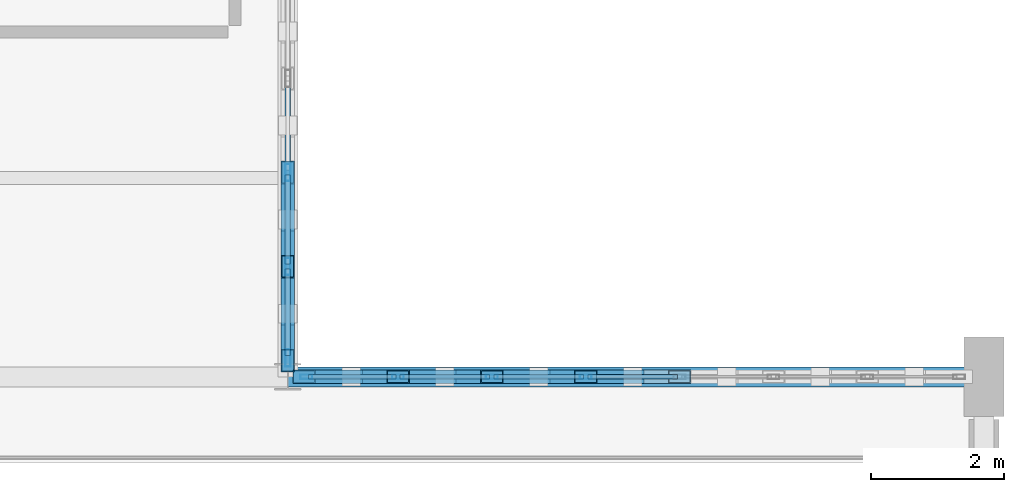
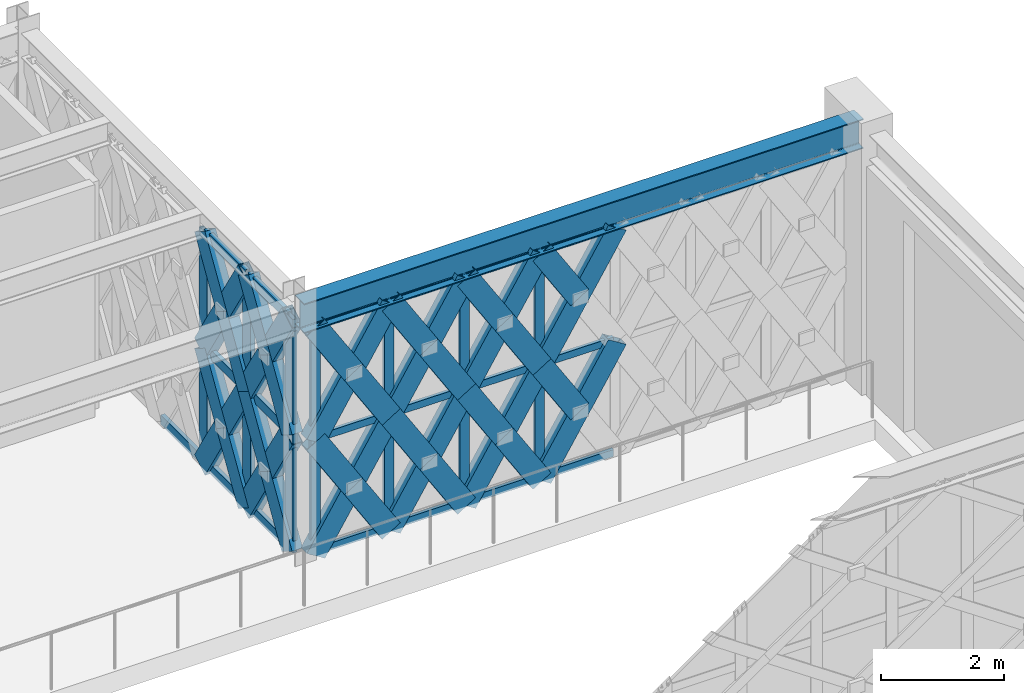
# One storey, part 93 of 140: 60 members, 1 beam, 2 elements without a shape of their own.
"""IFC4 building model written with IfcOpenShell, lengths in metres."""

from ifc_helpers import new_model, si_unit, direction, frame, origin, origin_2d, place, context, subcontext, project, spatial, hollow_rectangle, i_section, extrude, material, material_profile, profile_set, type_object, element, aggregate, save


model = new_model("IFC4")

# Units and contexts
model_context = context("Model", 3, precision=1e-05, world=origin(), true_north=direction((0.0, 1.0)))
body_context = subcontext(model_context, "Body", "Model", "MODEL_VIEW")
ifc_project = project(units=[si_unit("LENGTHUNIT", "METRE"), si_unit("AREAUNIT", "SQUARE_METRE"), si_unit("VOLUMEUNIT", "CUBIC_METRE"), si_unit("PLANEANGLEUNIT", "RADIAN"), si_unit("MASSUNIT", "GRAM", prefix="KILO")], contexts=[model_context])

# Site, building, storey
site_placement = place(None, origin())
site = spatial("IfcSite", under=ifc_project, at=site_placement, CompositionType="ELEMENT")
building_placement = place(site_placement, origin())
building = spatial("IfcBuilding", under=site, at=building_placement, Name="Haizhuo Lancet Aquarium", CompositionType="ELEMENT")
storey_placement = place(building_placement, origin())
storey = spatial("IfcBuildingStorey", under=building, at=storey_placement, Name="L00", CompositionType="ELEMENT", Elevation=0.0)

# Beam
ifc_material_1 = material(Name="Steel S355", Category="steel")
ifc_material_profile_1 = material_profile(ifc_material_1, i_section(OverallWidth=0.300048828125, OverallDepth=0.587890625, WebThickness=0.011962890625, FlangeThickness=0.02001953125, FilletRadius=0.02587890625, at=origin_2d()), Name="HM 588x300x12x20")
ifc_profile_set_1 = profile_set([ifc_material_profile_1], Name="Steel S355")
beam_type = type_object("IfcBeamType", Name="BM-ST-HM588", PredefinedType="BEAM", material=ifc_profile_set_1)
beam_placement = place(storey_placement, frame((72.0, 18.0, 4.825927734375), z_axis=(1.0, 0.0, 0.0), x_axis=(0.0, 1.0, 0.0)))
element("IfcBeam", 1, at=beam_placement, inside=storey, type_object=beam_type, Name="L00 V7 primary girder BM-L00-V7-027", PredefinedType="BEAM", context=body_context, shape_type="SweptSolid", body=[
    extrude(i_section(OverallWidth=0.300048828125, OverallDepth=0.587890625, WebThickness=0.011962890625, FlangeThickness=0.02001953125, FilletRadius=0.02587890625, at=origin_2d()), origin(), (0.0, 0.0, 1.0), 10.5),
])

# Curtain wall, members
ifc_material_2 = material(Name="Aluminium 6063-T6", Category="aluminium")
curtain_wall_type_1 = type_object("IfcCurtainWallType", Name="CWD-9910x4530", PredefinedType="NOTDEFINED", material=ifc_material_2)
curtain_wall_1_placement = place(storey_placement, origin())
curtain_wall_1 = element("IfcCurtainWall", 2, at=curtain_wall_1_placement, inside=storey, type_object=curtain_wall_type_1, Name="L00 curtain wall CW-V7-L00-277", PredefinedType="NOTDEFINED")
ifc_material_profile_2 = material_profile(ifc_material_2, hollow_rectangle(XDim=0.06494140625, YDim=0.179931640625, WallThickness=0.00390625, at=origin_2d()), Name="ALU-M 65x180x4")
ifc_profile_set_2 = profile_set([ifc_material_profile_2], Name="Aluminium 6063-T6")
member_type_1 = type_object("IfcMemberType", Name="CW-MUL-1", PredefinedType="MULLION", material=ifc_profile_set_2)
member_1_placement = place(storey_placement, frame((72.278076171875, 18.0, 0.0), z_axis=(0.0, 0.0, 1.0), x_axis=(0.0, 1.0, 0.0)))
member_1 = element("IfcMember", 3, at=member_1_placement, type_object=member_type_1, Name="CWD-99x45 mullion 1", PredefinedType="MULLION", context=body_context, shape_type="SweptSolid", body=[
    extrude(hollow_rectangle(XDim=0.06494140625, YDim=0.179931640625, WallThickness=0.00390625, at=origin_2d()), origin(), (0.0, 0.0, 1.0), 4.531982421875),
])
member_2_placement = place(storey_placement, frame((73.660888671875, 18.0, 0.0), z_axis=(0.0, 0.0, 1.0), x_axis=(0.0, 1.0, 0.0)))
member_2 = element("IfcMember", 4, at=member_2_placement, type_object=member_type_1, Name="CWD-99x45 mullion 2", PredefinedType="MULLION", context=body_context, shape_type="SweptSolid", body=[
    extrude(hollow_rectangle(XDim=0.06494140625, YDim=0.179931640625, WallThickness=0.00390625, at=origin_2d()), origin(), (0.0, 0.0, 1.0), 4.531982421875),
])
member_3_placement = place(storey_placement, frame((75.075927734375, 18.0, 0.0), z_axis=(0.0, 0.0, 1.0), x_axis=(0.0, 1.0, 0.0)))
member_3 = element("IfcMember", 5, at=member_3_placement, type_object=member_type_1, Name="CWD-99x45 mullion 3", PredefinedType="MULLION", context=body_context, shape_type="SweptSolid", body=[
    extrude(hollow_rectangle(XDim=0.06494140625, YDim=0.179931640625, WallThickness=0.00390625, at=origin_2d()), origin(), (0.0, 0.0, 1.0), 4.531982421875),
])
member_4_placement = place(storey_placement, frame((76.491943359375, 18.0, 0.0), z_axis=(0.0, 0.0, 1.0), x_axis=(0.0, 1.0, 0.0)))
member_4 = element("IfcMember", 6, at=member_4_placement, type_object=member_type_1, Name="CWD-99x45 mullion 4", PredefinedType="MULLION", context=body_context, shape_type="SweptSolid", body=[
    extrude(hollow_rectangle(XDim=0.06494140625, YDim=0.179931640625, WallThickness=0.00390625, at=origin_2d()), origin(), (0.0, 0.0, 1.0), 4.531982421875),
])

curtain_wall_type_2 = type_object("IfcCurtainWallType", Name="CWD-8510x4630", PredefinedType="NOTDEFINED", material=ifc_material_2)
curtain_wall_2_placement = place(storey_placement, origin())
curtain_wall_2 = element("IfcCurtainWall", 7, at=curtain_wall_2_placement, inside=storey, type_object=curtain_wall_type_2, Name="L00 curtain wall CW-V7-L00-276", PredefinedType="NOTDEFINED")
ifc_material_profile_3 = material_profile(ifc_material_2, hollow_rectangle(XDim=0.080078125, YDim=0.260009765625, WallThickness=0.0048828125, at=origin_2d()), Name="ALU-M 80x260x5")
ifc_profile_set_3 = profile_set([ifc_material_profile_3], Name="Aluminium 6063-T6")
member_type_2 = type_object("IfcMemberType", Name="CW-MUL-3", PredefinedType="MULLION", material=ifc_profile_set_3)
member_5_placement = place(storey_placement, frame((72.0, 21.08203125, 0.0), z_axis=(0.0, 0.0, 1.0), x_axis=(1.0, 0.0, 0.0)))
member_5 = element("IfcMember", 8, at=member_5_placement, type_object=member_type_2, Name="CWD-85x46 mullion 5", PredefinedType="MULLION", context=body_context, shape_type="SweptSolid", body=[
    extrude(hollow_rectangle(XDim=0.080078125, YDim=0.260009765625, WallThickness=0.0048828125, at=origin_2d()), origin(), (0.0, 0.0, 1.0), 4.632080078125),
])
member_6_placement = place(storey_placement, frame((72.0, 19.6630859375, 0.0), z_axis=(0.0, 0.0, 1.0), x_axis=(1.0, 0.0, 0.0)))
member_6 = element("IfcMember", 9, at=member_6_placement, type_object=member_type_2, Name="CWD-85x46 mullion 6", PredefinedType="MULLION", context=body_context, shape_type="SweptSolid", body=[
    extrude(hollow_rectangle(XDim=0.080078125, YDim=0.260009765625, WallThickness=0.0048828125, at=origin_2d()), origin(), (0.0, 0.0, 1.0), 4.632080078125),
])
member_7_placement = place(storey_placement, frame((72.0, 18.284912109375, 0.0), z_axis=(0.0, 0.0, 1.0), x_axis=(1.0, 0.0, 0.0)))
member_7 = element("IfcMember", 10, at=member_7_placement, type_object=member_type_2, Name="CWD-85x46 mullion 7", PredefinedType="MULLION", context=body_context, shape_type="SweptSolid", body=[
    extrude(hollow_rectangle(XDim=0.080078125, YDim=0.260009765625, WallThickness=0.0048828125, at=origin_2d()), origin(), (0.0, 0.0, 1.0), 4.632080078125),
])

# Member
ifc_material_profile_4 = material_profile(ifc_material_2, hollow_rectangle(XDim=0.06494140625, YDim=0.139892578125, WallThickness=0.00390625, at=origin_2d()), Name="ALU-T 65x140x4")
ifc_profile_set_4 = profile_set([ifc_material_profile_4], Name="Aluminium 6063-T6")
member_type_3 = type_object("IfcMemberType", Name="CW-TRN-1", PredefinedType="NOTDEFINED", material=ifc_profile_set_4)
member_8_placement = place(storey_placement, frame((72.31005859375, 18.0, 0.032958984375), z_axis=(1.0, 0.0, 0.0), x_axis=(0.0, 1.0, 0.0)))
member_8 = element("IfcMember", 11, at=member_8_placement, type_object=member_type_3, Name="CWD-99x45 transom 1.1", ObjectType="TRANSOM", PredefinedType="USERDEFINED", context=body_context, shape_type="SweptSolid", body=[
    extrude(hollow_rectangle(XDim=0.06494140625, YDim=0.139892578125, WallThickness=0.00390625, at=origin_2d()), origin(), (0.0, 0.0, 1.0), 1.31787109375),
])

member_9_placement = place(storey_placement, frame((72.31005859375, 18.0, 2.26611328125), z_axis=(1.0, 0.0, 0.0), x_axis=(0.0, 1.0, 0.0)))
member_9 = element("IfcMember", 12, at=member_9_placement, type_object=member_type_3, Name="CWD-99x45 transom 1.2", ObjectType="TRANSOM", PredefinedType="USERDEFINED", context=body_context, shape_type="SweptSolid", body=[
    extrude(hollow_rectangle(XDim=0.06494140625, YDim=0.139892578125, WallThickness=0.00390625, at=origin_2d()), origin(), (0.0, 0.0, 1.0), 1.31787109375),
])

member_10_placement = place(storey_placement, frame((72.31005859375, 18.0, 4.5), z_axis=(1.0, 0.0, 0.0), x_axis=(0.0, 1.0, 0.0)))
member_10 = element("IfcMember", 13, at=member_10_placement, type_object=member_type_3, Name="CWD-99x45 transom 1.3", ObjectType="TRANSOM", PredefinedType="USERDEFINED", context=body_context, shape_type="SweptSolid", body=[
    extrude(hollow_rectangle(XDim=0.06494140625, YDim=0.139892578125, WallThickness=0.00390625, at=origin_2d()), origin(), (0.0, 0.0, 1.0), 1.31787109375),
])

member_11_placement = place(storey_placement, frame((73.693115234375, 18.0, 0.032958984375), z_axis=(1.0, 0.0, 0.0), x_axis=(0.0, 1.0, 0.0)))
member_11 = element("IfcMember", 14, at=member_11_placement, type_object=member_type_3, Name="CWD-99x45 transom 2.1", ObjectType="TRANSOM", PredefinedType="USERDEFINED", context=body_context, shape_type="SweptSolid", body=[
    extrude(hollow_rectangle(XDim=0.06494140625, YDim=0.139892578125, WallThickness=0.00390625, at=origin_2d()), origin(), (0.0, 0.0, 1.0), 1.350830078125),
])

member_12_placement = place(storey_placement, frame((73.693115234375, 18.0, 2.26611328125), z_axis=(1.0, 0.0, 0.0), x_axis=(0.0, 1.0, 0.0)))
member_12 = element("IfcMember", 15, at=member_12_placement, type_object=member_type_3, Name="CWD-99x45 transom 2.2", ObjectType="TRANSOM", PredefinedType="USERDEFINED", context=body_context, shape_type="SweptSolid", body=[
    extrude(hollow_rectangle(XDim=0.06494140625, YDim=0.139892578125, WallThickness=0.00390625, at=origin_2d()), origin(), (0.0, 0.0, 1.0), 1.350830078125),
])

member_13_placement = place(storey_placement, frame((73.693115234375, 18.0, 4.5), z_axis=(1.0, 0.0, 0.0), x_axis=(0.0, 1.0, 0.0)))
member_13 = element("IfcMember", 16, at=member_13_placement, type_object=member_type_3, Name="CWD-99x45 transom 2.3", ObjectType="TRANSOM", PredefinedType="USERDEFINED", context=body_context, shape_type="SweptSolid", body=[
    extrude(hollow_rectangle(XDim=0.06494140625, YDim=0.139892578125, WallThickness=0.00390625, at=origin_2d()), origin(), (0.0, 0.0, 1.0), 1.350830078125),
])

member_14_placement = place(storey_placement, frame((75.10888671875, 18.0, 0.032958984375), z_axis=(1.0, 0.0, 0.0), x_axis=(0.0, 1.0, 0.0)))
member_14 = element("IfcMember", 17, at=member_14_placement, type_object=member_type_3, Name="CWD-99x45 transom 3.1", ObjectType="TRANSOM", PredefinedType="USERDEFINED", context=body_context, shape_type="SweptSolid", body=[
    extrude(hollow_rectangle(XDim=0.06494140625, YDim=0.139892578125, WallThickness=0.00390625, at=origin_2d()), origin(), (0.0, 0.0, 1.0), 1.35107421875),
])

member_15_placement = place(storey_placement, frame((75.10888671875, 18.0, 2.26611328125), z_axis=(1.0, 0.0, 0.0), x_axis=(0.0, 1.0, 0.0)))
member_15 = element("IfcMember", 18, at=member_15_placement, type_object=member_type_3, Name="CWD-99x45 transom 3.2", ObjectType="TRANSOM", PredefinedType="USERDEFINED", context=body_context, shape_type="SweptSolid", body=[
    extrude(hollow_rectangle(XDim=0.06494140625, YDim=0.139892578125, WallThickness=0.00390625, at=origin_2d()), origin(), (0.0, 0.0, 1.0), 1.35107421875),
])

member_16_placement = place(storey_placement, frame((75.10888671875, 18.0, 4.5), z_axis=(1.0, 0.0, 0.0), x_axis=(0.0, 1.0, 0.0)))
member_16 = element("IfcMember", 19, at=member_16_placement, type_object=member_type_3, Name="CWD-99x45 transom 3.3", ObjectType="TRANSOM", PredefinedType="USERDEFINED", context=body_context, shape_type="SweptSolid", body=[
    extrude(hollow_rectangle(XDim=0.06494140625, YDim=0.139892578125, WallThickness=0.00390625, at=origin_2d()), origin(), (0.0, 0.0, 1.0), 1.35107421875),
])

member_17_placement = place(storey_placement, frame((76.52490234375, 18.0, 0.032958984375), z_axis=(1.0, 0.0, 0.0), x_axis=(0.0, 1.0, 0.0)))
member_17 = element("IfcMember", 20, at=member_17_placement, type_object=member_type_3, Name="CWD-99x45 transom 4.1", ObjectType="TRANSOM", PredefinedType="USERDEFINED", context=body_context, shape_type="SweptSolid", body=[
    extrude(hollow_rectangle(XDim=0.06494140625, YDim=0.139892578125, WallThickness=0.00390625, at=origin_2d()), origin(), (0.0, 0.0, 1.0), 1.35009765625),
])

member_18_placement = place(storey_placement, frame((76.52490234375, 18.0, 2.26611328125), z_axis=(1.0, 0.0, 0.0), x_axis=(0.0, 1.0, 0.0)))
member_18 = element("IfcMember", 21, at=member_18_placement, type_object=member_type_3, Name="CWD-99x45 transom 4.2", ObjectType="TRANSOM", PredefinedType="USERDEFINED", context=body_context, shape_type="SweptSolid", body=[
    extrude(hollow_rectangle(XDim=0.06494140625, YDim=0.139892578125, WallThickness=0.00390625, at=origin_2d()), origin(), (0.0, 0.0, 1.0), 1.35009765625),
])

member_19_placement = place(storey_placement, frame((76.52490234375, 18.0, 4.5), z_axis=(1.0, 0.0, 0.0), x_axis=(0.0, 1.0, 0.0)))
member_19 = element("IfcMember", 22, at=member_19_placement, type_object=member_type_3, Name="CWD-99x45 transom 4.3", ObjectType="TRANSOM", PredefinedType="USERDEFINED", context=body_context, shape_type="SweptSolid", body=[
    extrude(hollow_rectangle(XDim=0.06494140625, YDim=0.139892578125, WallThickness=0.00390625, at=origin_2d()), origin(), (0.0, 0.0, 1.0), 1.35009765625),
])

aggregate(curtain_wall_1, [member_1, member_2, member_3, member_4, member_8, member_9, member_10, member_11, member_12, member_13, member_14, member_15, member_16, member_17, member_18, member_19])

ifc_material_profile_5 = material_profile(ifc_material_2, hollow_rectangle(XDim=0.080078125, YDim=0.18994140625, WallThickness=0.0048828125, at=origin_2d()), Name="ALU-T 80x190x5")
ifc_profile_set_5 = profile_set([ifc_material_profile_5], Name="Aluminium 6063-T6")
member_type_4 = type_object("IfcMemberType", Name="CW-TRN-3", PredefinedType="NOTDEFINED", material=ifc_profile_set_5)
member_20_placement = place(storey_placement, frame((72.0, 22.4599609375, 0.0400390625), z_axis=(0.0, -1.0, 0.0), x_axis=(1.0, 0.0, 0.0)))
member_20 = element("IfcMember", 23, at=member_20_placement, type_object=member_type_4, Name="CWD-85x46 transom 4.1", ObjectType="TRANSOM", PredefinedType="USERDEFINED", context=body_context, shape_type="SweptSolid", body=[
    extrude(hollow_rectangle(XDim=0.080078125, YDim=0.18994140625, WallThickness=0.0048828125, at=origin_2d()), origin(), (0.0, 0.0, 1.0), 1.337890625),
])

member_21_placement = place(storey_placement, frame((72.0, 21.0419921875, 0.0400390625), z_axis=(0.0, -1.0, 0.0), x_axis=(1.0, 0.0, 0.0)))
member_21 = element("IfcMember", 24, at=member_21_placement, type_object=member_type_4, Name="CWD-85x46 transom 5.1", ObjectType="TRANSOM", PredefinedType="USERDEFINED", context=body_context, shape_type="SweptSolid", body=[
    extrude(hollow_rectangle(XDim=0.080078125, YDim=0.18994140625, WallThickness=0.0048828125, at=origin_2d()), origin(), (0.0, 0.0, 1.0), 1.339111328125),
])

member_22_placement = place(storey_placement, frame((72.0, 21.0419921875, 2.31591796875), z_axis=(0.0, -1.0, 0.0), x_axis=(1.0, 0.0, 0.0)))
member_22 = element("IfcMember", 25, at=member_22_placement, type_object=member_type_4, Name="CWD-85x46 transom 5.2", ObjectType="TRANSOM", PredefinedType="USERDEFINED", context=body_context, shape_type="SweptSolid", body=[
    extrude(hollow_rectangle(XDim=0.080078125, YDim=0.18994140625, WallThickness=0.0048828125, at=origin_2d()), origin(), (0.0, 0.0, 1.0), 1.339111328125),
])

member_23_placement = place(storey_placement, frame((72.0, 21.0419921875, 4.592041015625), z_axis=(0.0, -1.0, 0.0), x_axis=(1.0, 0.0, 0.0)))
member_23 = element("IfcMember", 26, at=member_23_placement, type_object=member_type_4, Name="CWD-85x46 transom 5.3", ObjectType="TRANSOM", PredefinedType="USERDEFINED", context=body_context, shape_type="SweptSolid", body=[
    extrude(hollow_rectangle(XDim=0.080078125, YDim=0.18994140625, WallThickness=0.0048828125, at=origin_2d()), origin(), (0.0, 0.0, 1.0), 1.339111328125),
])

member_24_placement = place(storey_placement, frame((72.0, 19.623046875, 0.0400390625), z_axis=(0.0, -1.0, 0.0), x_axis=(1.0, 0.0, 0.0)))
member_24 = element("IfcMember", 27, at=member_24_placement, type_object=member_type_4, Name="CWD-85x46 transom 6.1", ObjectType="TRANSOM", PredefinedType="USERDEFINED", context=body_context, shape_type="SweptSolid", body=[
    extrude(hollow_rectangle(XDim=0.080078125, YDim=0.18994140625, WallThickness=0.0048828125, at=origin_2d()), origin(), (0.0, 0.0, 1.0), 1.298095703125),
])

member_25_placement = place(storey_placement, frame((72.0, 19.623046875, 2.31591796875), z_axis=(0.0, -1.0, 0.0), x_axis=(1.0, 0.0, 0.0)))
member_25 = element("IfcMember", 28, at=member_25_placement, type_object=member_type_4, Name="CWD-85x46 transom 6.2", ObjectType="TRANSOM", PredefinedType="USERDEFINED", context=body_context, shape_type="SweptSolid", body=[
    extrude(hollow_rectangle(XDim=0.080078125, YDim=0.18994140625, WallThickness=0.0048828125, at=origin_2d()), origin(), (0.0, 0.0, 1.0), 1.298095703125),
])

member_26_placement = place(storey_placement, frame((72.0, 19.623046875, 4.592041015625), z_axis=(0.0, -1.0, 0.0), x_axis=(1.0, 0.0, 0.0)))
member_26 = element("IfcMember", 29, at=member_26_placement, type_object=member_type_4, Name="CWD-85x46 transom 6.3", ObjectType="TRANSOM", PredefinedType="USERDEFINED", context=body_context, shape_type="SweptSolid", body=[
    extrude(hollow_rectangle(XDim=0.080078125, YDim=0.18994140625, WallThickness=0.0048828125, at=origin_2d()), origin(), (0.0, 0.0, 1.0), 1.298095703125),
])

aggregate(curtain_wall_2, [member_5, member_6, member_7, member_20, member_21, member_22, member_23, member_24, member_25, member_26])

# Members
ifc_material_profile_6 = material_profile(ifc_material_1, hollow_rectangle(XDim=0.199951171875, YDim=0.39990234375, WallThickness=0.011962890625, at=origin_2d()), Name="RHS 200x400x12")
ifc_profile_set_6 = profile_set([ifc_material_profile_6], Name="Steel S355")
member_type_5 = type_object("IfcMemberType", Name="MEM-LB-RHS200x400", PredefinedType="BRACE", material=ifc_profile_set_6)
member_27_placement = place(storey_placement, frame((72.0, 21.08203125, 0.0), z_axis=(0.0, -0.522431366844, 0.852681339621), x_axis=(1.0, 0.0, 0.0)))
element("IfcMember", 30, at=member_27_placement, inside=storey, type_object=member_type_5, Name="Gothic lancet continuous diagonal brace CW-V7-L00-276 9A", PredefinedType="BRACE", context=body_context, shape_type="SweptSolid", body=[
    extrude(hollow_rectangle(XDim=0.199951171875, YDim=0.39990234375, WallThickness=0.011962890625, at=origin_2d()), origin(), (0.0, 0.0, 1.0), 2.716064453125),
])
member_28_placement = place(storey_placement, frame((72.0, 19.6630859375, 0.0), z_axis=(0.0, 0.522692712191, 0.85252116022), x_axis=(-1.0, 0.0, 0.0)))
element("IfcMember", 31, at=member_28_placement, inside=storey, type_object=member_type_5, Name="Gothic lancet split diagonal brace CW-V7-L00-276 9B1", PredefinedType="BRACE", context=body_context, shape_type="SweptSolid", body=[
    extrude(hollow_rectangle(XDim=0.199951171875, YDim=0.39990234375, WallThickness=0.011962890625, at=origin_2d()), origin(), (0.0, 0.0, 1.0), 1.358154296875),
])
member_29_placement = place(storey_placement, frame((72.0, 20.373046875, 1.157958984375), z_axis=(0.0, 0.52216987418, 0.852841499048), x_axis=(-1.0, 0.0, 0.0)))
element("IfcMember", 32, at=member_29_placement, inside=storey, type_object=member_type_5, Name="Gothic lancet split diagonal brace CW-V7-L00-276 9B2", PredefinedType="BRACE", context=body_context, shape_type="SweptSolid", body=[
    extrude(hollow_rectangle(XDim=0.199951171875, YDim=0.39990234375, WallThickness=0.011962890625, at=origin_2d()), origin(), (0.0, 0.0, 1.0), 1.357666015625),
])
member_30_placement = place(storey_placement, frame((72.0, 21.08203125, 2.31591796875), z_axis=(0.0, -0.522391326979, 0.852705870449), x_axis=(1.0, 0.0, 0.0)))
element("IfcMember", 33, at=member_30_placement, inside=storey, type_object=member_type_5, Name="Gothic lancet continuous diagonal brace CW-V7-L00-276 10A", PredefinedType="BRACE", context=body_context, shape_type="SweptSolid", body=[
    extrude(hollow_rectangle(XDim=0.199951171875, YDim=0.39990234375, WallThickness=0.011962890625, at=origin_2d()), origin(), (0.0, 0.0, 1.0), 2.71630859375),
])
member_31_placement = place(storey_placement, frame((72.0, 19.6630859375, 2.31591796875), z_axis=(0.0, 0.522612627479, 0.852570256108), x_axis=(-1.0, 0.0, 0.0)))
element("IfcMember", 34, at=member_31_placement, inside=storey, type_object=member_type_5, Name="Gothic lancet split diagonal brace CW-V7-L00-276 10B1", PredefinedType="BRACE", context=body_context, shape_type="SweptSolid", body=[
    extrude(hollow_rectangle(XDim=0.199951171875, YDim=0.39990234375, WallThickness=0.011962890625, at=origin_2d()), origin(), (0.0, 0.0, 1.0), 1.3583984375),
])
member_32_placement = place(storey_placement, frame((72.0, 20.373046875, 3.47412109375), z_axis=(0.0, 0.52216987418, 0.852841499048), x_axis=(-1.0, 0.0, 0.0)))
element("IfcMember", 35, at=member_32_placement, inside=storey, type_object=member_type_5, Name="Gothic lancet split diagonal brace CW-V7-L00-276 10B2", PredefinedType="BRACE", context=body_context, shape_type="SweptSolid", body=[
    extrude(hollow_rectangle(XDim=0.199951171875, YDim=0.39990234375, WallThickness=0.011962890625, at=origin_2d()), origin(), (0.0, 0.0, 1.0), 1.357666015625),
])
member_33_placement = place(storey_placement, frame((72.0, 19.6630859375, 0.0), z_axis=(0.0, -0.52216987418, 0.852841499048), x_axis=(1.0, 0.0, 0.0)))
element("IfcMember", 36, at=member_33_placement, inside=storey, type_object=member_type_5, Name="Gothic lancet continuous diagonal brace CW-V7-L00-276 11A", PredefinedType="BRACE", context=body_context, shape_type="SweptSolid", body=[
    extrude(hollow_rectangle(XDim=0.199951171875, YDim=0.39990234375, WallThickness=0.011962890625, at=origin_2d()), origin(), (0.0, 0.0, 1.0), 2.715576171875),
])
for number, where, z_axis, x_axis, name in (
    (37, (72.0, 18.2451171875, 0.0), (0.0, 0.52216987418, 0.852841499048), (-1.0, 0.0, 0.0), "Gothic lancet split diagonal brace CW-V7-L00-276 11B1"),
    (38, (72.0, 18.9541015625, 1.157958984375), (0.0, 0.52216987418, 0.852841499048), (-1.0, 0.0, 0.0), "Gothic lancet split diagonal brace CW-V7-L00-276 11B2"),
):
    element("IfcMember", number, at=place(storey_placement, frame(where, z_axis=z_axis, x_axis=x_axis)), inside=storey, type_object=member_type_5, Name=name, PredefinedType="BRACE", context=body_context, shape_type="SweptSolid", body=[
        extrude(hollow_rectangle(XDim=0.199951171875, YDim=0.39990234375, WallThickness=0.011962890625, at=origin_2d()), origin(), (0.0, 0.0, 1.0), 1.357666015625),
    ])
member_34_placement = place(storey_placement, frame((72.0, 19.6630859375, 2.31591796875), z_axis=(0.0, -0.522129839323, 0.852866009927), x_axis=(1.0, 0.0, 0.0)))
element("IfcMember", 39, at=member_34_placement, inside=storey, type_object=member_type_5, Name="Gothic lancet continuous diagonal brace CW-V7-L00-276 12A", PredefinedType="BRACE", context=body_context, shape_type="SweptSolid", body=[
    extrude(hollow_rectangle(XDim=0.199951171875, YDim=0.39990234375, WallThickness=0.011962890625, at=origin_2d()), origin(), (0.0, 0.0, 1.0), 2.7158203125),
])
member_35_placement = place(storey_placement, frame((72.0, 18.2451171875, 2.31591796875), z_axis=(0.0, 0.522089809454, 0.852890515168), x_axis=(-1.0, 0.0, 0.0)))
element("IfcMember", 40, at=member_35_placement, inside=storey, type_object=member_type_5, Name="Gothic lancet split diagonal brace CW-V7-L00-276 12B1", PredefinedType="BRACE", context=body_context, shape_type="SweptSolid", body=[
    extrude(hollow_rectangle(XDim=0.199951171875, YDim=0.39990234375, WallThickness=0.011962890625, at=origin_2d()), origin(), (0.0, 0.0, 1.0), 1.35791015625),
])
member_36_placement = place(storey_placement, frame((72.0, 18.9541015625, 3.47412109375), z_axis=(0.0, 0.52216987418, 0.852841499048), x_axis=(-1.0, 0.0, 0.0)))
element("IfcMember", 41, at=member_36_placement, inside=storey, type_object=member_type_5, Name="Gothic lancet split diagonal brace CW-V7-L00-276 12B2", PredefinedType="BRACE", context=body_context, shape_type="SweptSolid", body=[
    extrude(hollow_rectangle(XDim=0.199951171875, YDim=0.39990234375, WallThickness=0.011962890625, at=origin_2d()), origin(), (0.0, 0.0, 1.0), 1.357666015625),
])
member_37_placement = place(storey_placement, frame((72.2451171875, 18.0, 0.0), z_axis=(0.529851098328, 0.0, 0.848090687132), x_axis=(0.0, 1.0, 0.0)))
element("IfcMember", 42, at=member_37_placement, inside=storey, type_object=member_type_5, Name="Gothic lancet continuous diagonal brace CW-V7-L00-277 1A", PredefinedType="BRACE", context=body_context, shape_type="SweptSolid", body=[
    extrude(hollow_rectangle(XDim=0.199951171875, YDim=0.39990234375, WallThickness=0.011962890625, at=origin_2d()), origin(), (0.0, 0.0, 1.0), 2.672119140625),
])
member_38_placement = place(storey_placement, frame((73.660888671875, 18.0, 0.0), z_axis=(-0.529916811704, 0.0, 0.848049628662), x_axis=(0.0, -1.0, 0.0)))
element("IfcMember", 43, at=member_38_placement, inside=storey, type_object=member_type_5, Name="Gothic lancet split diagonal brace CW-V7-L00-277 1B1", PredefinedType="BRACE", context=body_context, shape_type="SweptSolid", body=[
    extrude(hollow_rectangle(XDim=0.199951171875, YDim=0.39990234375, WallThickness=0.011962890625, at=origin_2d()), origin(), (0.0, 0.0, 1.0), 1.336181640625),
])
member_39_placement = place(storey_placement, frame((72.952880859375, 18.0, 1.133056640625), z_axis=(-0.529785375407, 0.0, 0.848131744486), x_axis=(0.0, -1.0, 0.0)))
element("IfcMember", 44, at=member_39_placement, inside=storey, type_object=member_type_5, Name="Gothic lancet split diagonal brace CW-V7-L00-277 1B2", PredefinedType="BRACE", context=body_context, shape_type="SweptSolid", body=[
    extrude(hollow_rectangle(XDim=0.199951171875, YDim=0.39990234375, WallThickness=0.011962890625, at=origin_2d()), origin(), (0.0, 0.0, 1.0), 1.3359375),
])
member_40_placement = place(storey_placement, frame((72.2451171875, 18.0, 2.26611328125), z_axis=(0.529892158801, 0.0, 0.848065032908), x_axis=(0.0, 1.0, 0.0)))
element("IfcMember", 45, at=member_40_placement, inside=storey, type_object=member_type_5, Name="Gothic lancet continuous diagonal brace CW-V7-L00-277 2A", PredefinedType="BRACE", context=body_context, shape_type="SweptSolid", body=[
    extrude(hollow_rectangle(XDim=0.199951171875, YDim=0.39990234375, WallThickness=0.011962890625, at=origin_2d()), origin(), (0.0, 0.0, 1.0), 2.671875),
])
for number, where, z_axis, x_axis, name in (
    (46, (73.660888671875, 18.0, 2.26611328125), (-0.529998940003, 0.0, 0.847998304005), (0.0, -1.0, 0.0), "Gothic lancet split diagonal brace CW-V7-L00-277 2B1"),
    (47, (72.952880859375, 18.0, 3.39892578125), (-0.529785375407, 0.0, 0.848131744486), (0.0, -1.0, 0.0), "Gothic lancet split diagonal brace CW-V7-L00-277 2B2"),
):
    element("IfcMember", number, at=place(storey_placement, frame(where, z_axis=z_axis, x_axis=x_axis)), inside=storey, type_object=member_type_5, Name=name, PredefinedType="BRACE", context=body_context, shape_type="SweptSolid", body=[
        extrude(hollow_rectangle(XDim=0.199951171875, YDim=0.39990234375, WallThickness=0.011962890625, at=origin_2d()), origin(), (0.0, 0.0, 1.0), 1.3359375),
    ])
member_41_placement = place(storey_placement, frame((73.660888671875, 18.0, 0.0), z_axis=(0.529653900929, 0.0, 0.848213855835), x_axis=(0.0, 1.0, 0.0)))
element("IfcMember", 48, at=member_41_placement, inside=storey, type_object=member_type_5, Name="Gothic lancet continuous diagonal brace CW-V7-L00-277 3A", PredefinedType="BRACE", context=body_context, shape_type="SweptSolid", body=[
    extrude(hollow_rectangle(XDim=0.199951171875, YDim=0.39990234375, WallThickness=0.011962890625, at=origin_2d()), origin(), (0.0, 0.0, 1.0), 2.671630859375),
])
member_42_placement = place(storey_placement, frame((75.075927734375, 18.0, 0.0), z_axis=(-0.529916811704, 0.0, 0.848049628662), x_axis=(0.0, -1.0, 0.0)))
element("IfcMember", 49, at=member_42_placement, inside=storey, type_object=member_type_5, Name="Gothic lancet split diagonal brace CW-V7-L00-277 3B1", PredefinedType="BRACE", context=body_context, shape_type="SweptSolid", body=[
    extrude(hollow_rectangle(XDim=0.199951171875, YDim=0.39990234375, WallThickness=0.011962890625, at=origin_2d()), origin(), (0.0, 0.0, 1.0), 1.336181640625),
])
member_43_placement = place(storey_placement, frame((74.367919921875, 18.0, 1.133056640625), z_axis=(-0.529390837407, 0.0, 0.848378065057), x_axis=(0.0, -1.0, 0.0)))
element("IfcMember", 50, at=member_43_placement, inside=storey, type_object=member_type_5, Name="Gothic lancet split diagonal brace CW-V7-L00-277 3B2", PredefinedType="BRACE", context=body_context, shape_type="SweptSolid", body=[
    extrude(hollow_rectangle(XDim=0.199951171875, YDim=0.39990234375, WallThickness=0.011962890625, at=origin_2d()), origin(), (0.0, 0.0, 1.0), 1.33544921875),
])
member_44_placement = place(storey_placement, frame((73.660888671875, 18.0, 2.26611328125), z_axis=(0.529694958045, 0.0, 0.848188216979), x_axis=(0.0, 1.0, 0.0)))
element("IfcMember", 51, at=member_44_placement, inside=storey, type_object=member_type_5, Name="Gothic lancet continuous diagonal brace CW-V7-L00-277 4A", PredefinedType="BRACE", context=body_context, shape_type="SweptSolid", body=[
    extrude(hollow_rectangle(XDim=0.199951171875, YDim=0.39990234375, WallThickness=0.011962890625, at=origin_2d()), origin(), (0.0, 0.0, 1.0), 2.67138671875),
])
member_45_placement = place(storey_placement, frame((75.075927734375, 18.0, 2.26611328125), z_axis=(-0.529998940003, 0.0, 0.847998304005), x_axis=(0.0, -1.0, 0.0)))
element("IfcMember", 52, at=member_45_placement, inside=storey, type_object=member_type_5, Name="Gothic lancet split diagonal brace CW-V7-L00-277 4B1", PredefinedType="BRACE", context=body_context, shape_type="SweptSolid", body=[
    extrude(hollow_rectangle(XDim=0.199951171875, YDim=0.39990234375, WallThickness=0.011962890625, at=origin_2d()), origin(), (0.0, 0.0, 1.0), 1.3359375),
])
member_46_placement = place(storey_placement, frame((74.367919921875, 18.0, 3.39892578125), z_axis=(-0.529390837407, 0.0, 0.848378065057), x_axis=(0.0, -1.0, 0.0)))
element("IfcMember", 53, at=member_46_placement, inside=storey, type_object=member_type_5, Name="Gothic lancet split diagonal brace CW-V7-L00-277 4B2", PredefinedType="BRACE", context=body_context, shape_type="SweptSolid", body=[
    extrude(hollow_rectangle(XDim=0.199951171875, YDim=0.39990234375, WallThickness=0.011962890625, at=origin_2d()), origin(), (0.0, 0.0, 1.0), 1.33544921875),
])
member_47_placement = place(storey_placement, frame((75.075927734375, 18.0, 0.0), z_axis=(0.529916811704, 0.0, 0.848049628662), x_axis=(0.0, 1.0, 0.0)))
element("IfcMember", 54, at=member_47_placement, inside=storey, type_object=member_type_5, Name="Gothic lancet continuous diagonal brace CW-V7-L00-277 5A", PredefinedType="BRACE", context=body_context, shape_type="SweptSolid", body=[
    extrude(hollow_rectangle(XDim=0.199951171875, YDim=0.39990234375, WallThickness=0.011962890625, at=origin_2d()), origin(), (0.0, 0.0, 1.0), 2.672119140625),
])
for number, where, z_axis, x_axis, name in (
    (55, (76.491943359375, 18.0, 0.0), (-0.529916811704, 0.0, 0.848049628662), (0.0, -1.0, 0.0), "Gothic lancet split diagonal brace CW-V7-L00-277 5B1"),
    (56, (75.783935546875, 18.0, 1.133056640625), (-0.529916811704, 0.0, 0.848049628662), (0.0, -1.0, 0.0), "Gothic lancet split diagonal brace CW-V7-L00-277 5B2"),
):
    element("IfcMember", number, at=place(storey_placement, frame(where, z_axis=z_axis, x_axis=x_axis)), inside=storey, type_object=member_type_5, Name=name, PredefinedType="BRACE", context=body_context, shape_type="SweptSolid", body=[
        extrude(hollow_rectangle(XDim=0.199951171875, YDim=0.39990234375, WallThickness=0.011962890625, at=origin_2d()), origin(), (0.0, 0.0, 1.0), 1.336181640625),
    ])
member_48_placement = place(storey_placement, frame((75.075927734375, 18.0, 2.26611328125), z_axis=(0.529957873293, 0.0, 0.848023969316), x_axis=(0.0, 1.0, 0.0)))
element("IfcMember", 57, at=member_48_placement, inside=storey, type_object=member_type_5, Name="Gothic lancet continuous diagonal brace CW-V7-L00-277 6A", PredefinedType="BRACE", context=body_context, shape_type="SweptSolid", body=[
    extrude(hollow_rectangle(XDim=0.199951171875, YDim=0.39990234375, WallThickness=0.011962890625, at=origin_2d()), origin(), (0.0, 0.0, 1.0), 2.671875),
])
member_49_placement = place(storey_placement, frame((76.491943359375, 18.0, 2.26611328125), z_axis=(-0.529998940003, 0.0, 0.847998304005), x_axis=(0.0, -1.0, 0.0)))
element("IfcMember", 58, at=member_49_placement, inside=storey, type_object=member_type_5, Name="Gothic lancet split diagonal brace CW-V7-L00-277 6B1", PredefinedType="BRACE", context=body_context, shape_type="SweptSolid", body=[
    extrude(hollow_rectangle(XDim=0.199951171875, YDim=0.39990234375, WallThickness=0.011962890625, at=origin_2d()), origin(), (0.0, 0.0, 1.0), 1.3359375),
])
member_50_placement = place(storey_placement, frame((75.783935546875, 18.0, 3.39892578125), z_axis=(-0.529916811704, 0.0, 0.848049628662), x_axis=(0.0, -1.0, 0.0)))
element("IfcMember", 59, at=member_50_placement, inside=storey, type_object=member_type_5, Name="Gothic lancet split diagonal brace CW-V7-L00-277 6B2", PredefinedType="BRACE", context=body_context, shape_type="SweptSolid", body=[
    extrude(hollow_rectangle(XDim=0.199951171875, YDim=0.39990234375, WallThickness=0.011962890625, at=origin_2d()), origin(), (0.0, 0.0, 1.0), 1.336181640625),
])
member_51_placement = place(storey_placement, frame((76.491943359375, 18.0, 0.0), z_axis=(0.529916811704, 0.0, 0.848049628662), x_axis=(0.0, 1.0, 0.0)))
element("IfcMember", 60, at=member_51_placement, inside=storey, type_object=member_type_5, Name="Gothic lancet continuous diagonal brace CW-V7-L00-277 7A", PredefinedType="BRACE", context=body_context, shape_type="SweptSolid", body=[
    extrude(hollow_rectangle(XDim=0.199951171875, YDim=0.39990234375, WallThickness=0.011962890625, at=origin_2d()), origin(), (0.0, 0.0, 1.0), 2.672119140625),
])
member_52_placement = place(storey_placement, frame((77.199951171875, 18.0, 1.133056640625), z_axis=(-0.529916811704, 0.0, 0.848049628662), x_axis=(0.0, -1.0, 0.0)))
element("IfcMember", 61, at=member_52_placement, inside=storey, type_object=member_type_5, Name="Gothic lancet split diagonal brace CW-V7-L00-277 7B2", PredefinedType="BRACE", context=body_context, shape_type="SweptSolid", body=[
    extrude(hollow_rectangle(XDim=0.199951171875, YDim=0.39990234375, WallThickness=0.011962890625, at=origin_2d()), origin(), (0.0, 0.0, 1.0), 1.336181640625),
])
member_53_placement = place(storey_placement, frame((76.491943359375, 18.0, 2.26611328125), z_axis=(0.529957873293, 0.0, 0.848023969316), x_axis=(0.0, 1.0, 0.0)))
element("IfcMember", 62, at=member_53_placement, inside=storey, type_object=member_type_5, Name="Gothic lancet continuous diagonal brace CW-V7-L00-277 8A", PredefinedType="BRACE", context=body_context, shape_type="SweptSolid", body=[
    extrude(hollow_rectangle(XDim=0.199951171875, YDim=0.39990234375, WallThickness=0.011962890625, at=origin_2d()), origin(), (0.0, 0.0, 1.0), 2.671875),
])
member_54_placement = place(storey_placement, frame((77.199951171875, 18.0, 3.39892578125), z_axis=(-0.529916811704, 0.0, 0.848049628662), x_axis=(0.0, -1.0, 0.0)))
element("IfcMember", 63, at=member_54_placement, inside=storey, type_object=member_type_5, Name="Gothic lancet split diagonal brace CW-V7-L00-277 8B2", PredefinedType="BRACE", context=body_context, shape_type="SweptSolid", body=[
    extrude(hollow_rectangle(XDim=0.199951171875, YDim=0.39990234375, WallThickness=0.011962890625, at=origin_2d()), origin(), (0.0, 0.0, 1.0), 1.336181640625),
])

save(model, "model.ifc")
